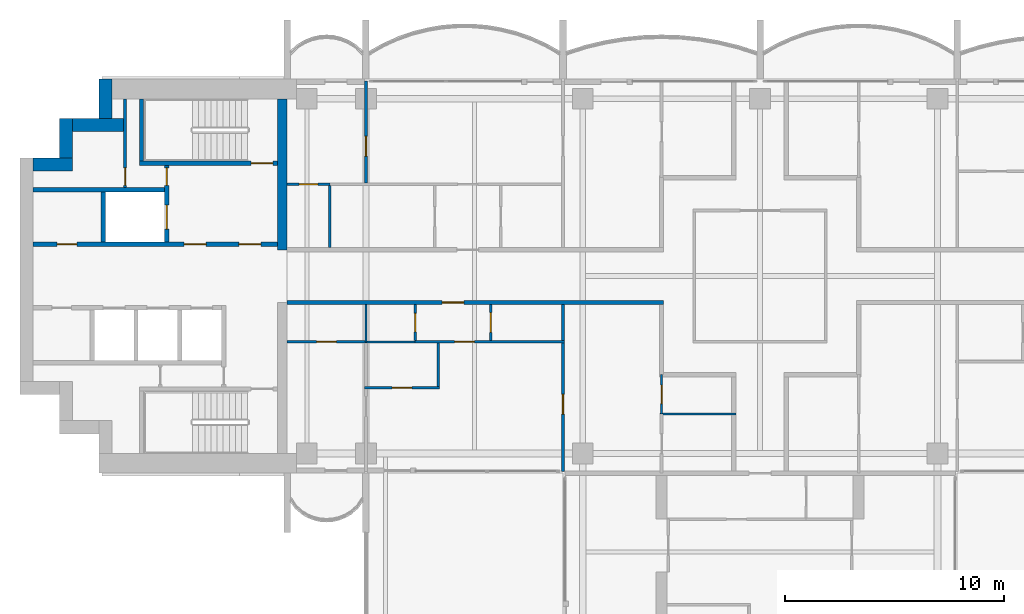
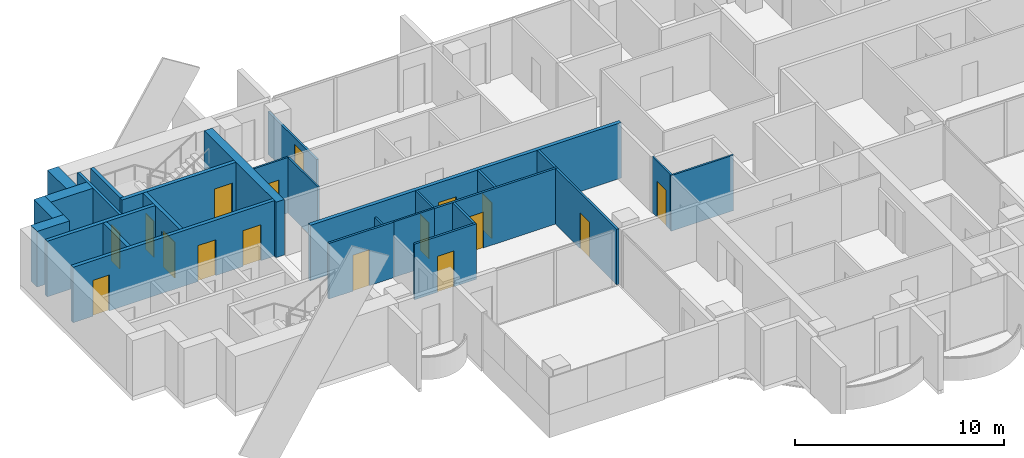
# One storey, part 9 of 17: 27 walls, 17 doors, 17 openings.
"""IFC4 building model written with IfcOpenShell, lengths in metres."""

from ifc_helpers import new_model, si_unit, direction, frame, frame_2d, origin, place, context, subcontext, project, spatial, rectangle, extrude, material, layer, layer_set, type_object, element, fill, save


model = new_model("IFC4")

# Units and contexts
model_context = context("Model", 3, precision=1e-05, world=origin(), true_north=direction((0.0, 1.0)))
body_context = subcontext(model_context, "Body", "Model", "MODEL_VIEW")
ifc_project = project(units=[si_unit("LENGTHUNIT", "METRE"), si_unit("AREAUNIT", "SQUARE_METRE"), si_unit("VOLUMEUNIT", "CUBIC_METRE"), si_unit("PLANEANGLEUNIT", "RADIAN"), si_unit("MASSUNIT", "GRAM", prefix="KILO")], contexts=[model_context])

# Site, building, storey
site_placement = place(None, origin())
site = spatial("IfcSite", under=ifc_project, at=site_placement, CompositionType="ELEMENT")
building_placement = place(site_placement, origin())
building = spatial("IfcBuilding", under=site, at=building_placement, Name="Perihelion Cross Residences", CompositionType="ELEMENT")
storey_placement = place(building_placement, frame((0.0, 0.0, 198.10009765625)))
storey = spatial("IfcBuildingStorey", under=building, at=storey_placement, Name="L49", CompositionType="ELEMENT", Elevation=198.10009765625)

# Wall, opening, door
ifc_material_1 = material(Name="Plasterboard partition")
ifc_layer_1 = layer(ifc_material_1, 0.199951171875)
ifc_layer_set_1 = layer_set([ifc_layer_1], Name="Apartment separation wall 200")
wall_type_1 = type_object("IfcWallType", Name="Apartment separation wall 200", PredefinedType="PARTITIONING", material=ifc_layer_set_1)
wall_1_placement = place(storey_placement, frame((-4.39990234375, -1.199951171875, 0.0), z_axis=(0.0, 0.0, 1.0), x_axis=(-1.0, 0.0, 0.0)))
wall_1 = element("IfcWall", 1, at=wall_1_placement, inside=storey, type_object=wall_type_1, Name="Partition L49 W017", PredefinedType="PARTITIONING", context=body_context, shape_type="SweptSolid", body=[
    extrude(rectangle(XDim=17.2001953125, YDim=0.199951171875, at=frame_2d((8.60009765625, 0.0))), origin(), (0.0, 0.0, 1.0), 3.25),
])
opening_1_placement = place(wall_1_placement, frame((9.125, 0.0, 0.0)))
opening_1 = element("IfcOpeningElement", 2, at=opening_1_placement, cuts=wall_1, Name="Opening L49.A41", PredefinedType="OPENING", context=body_context, shape_type="SweptSolid", body=[
    extrude(rectangle(XDim=1.0, YDim=2.10009765625, at=frame_2d((0.5, 1.050048828125))), frame((0.0, 0.10986328125, 0.0), z_axis=(0.0, -1.0, 0.0), x_axis=(1.0, 0.0, 0.0)), (0.0, 0.0, 1.0), 0.219970703125),
])
ifc_material_2 = material(Name="Timber door leaf", Category="wood")
door_type_1 = type_object("IfcDoorType", Name="Flat entrance door 1000 x 2100", OperationType="SINGLE_SWING_LEFT", PredefinedType="DOOR", material=ifc_material_2)
door_1_placement = place(opening_1_placement, origin())
door_1 = element("IfcDoor", 3, at=door_1_placement, inside=storey, type_object=door_type_1, Name="Door L49.A41", OperationType="SINGLE_SWING_RIGHT", OverallHeight=2.10009765625, OverallWidth=1.0, PredefinedType="DOOR", context=body_context, shape_type="SweptSolid", body=[
    extrude(rectangle(XDim=1.0, YDim=2.10009765625, at=frame_2d((0.5, 1.050048828125))), frame((0.0, 0.02490234375, 0.0), z_axis=(0.0, -1.0, 0.0), x_axis=(1.0, 0.0, 0.0)), (0.0, 0.0, 1.0), 0.050048828125),
])
fill(opening_1, door_1)

# Walls
ifc_material_3 = material(Name="Concrete C60/75", Category="concrete")
ifc_layer_2 = layer(ifc_material_3, 0.449951171875)
ifc_layer_set_2 = layer_set([ifc_layer_2], Name="Core wall, inner 450")
wall_type_2 = type_object("IfcWallType", Name="Core wall, inner 450", PredefinedType="SHEAR", material=ifc_layer_set_2)
wall_2_placement = place(storey_placement, frame((-21.824951171875, 1.199951171875, 0.0), z_axis=(0.0, 0.0, 1.0), x_axis=(0.0, 1.0, 0.0)))
element("IfcWall", 4, at=wall_2_placement, inside=storey, type_object=wall_type_2, Name="West core core wall, inner", PredefinedType="SHEAR", context=body_context, shape_type="SweptSolid", body=[
    extrude(rectangle(XDim=6.900146484375, YDim=0.449951171875, at=frame_2d((3.4501953125, 0.0))), origin(), (0.0, 0.0, 1.0), 3.25),
])
ifc_material_4 = material(Name="Concrete C60/75", Category="concrete")
ifc_layer_3 = layer(ifc_material_4, 0.60009765625)
ifc_layer_set_3 = layer_set([ifc_layer_3], Name="Core wall, outer 600")
wall_type_3 = type_object("IfcWallType", Name="Core wall, outer 600", PredefinedType="SHEAR", material=ifc_layer_set_3)
for number, where, z_axis, x_axis, name in (
    (5, (-33.199951171875, 5.10009765625, 0.0), (0.0, 0.0, 1.0), (1.0, 0.0, 0.0), "West core core wall, outer"),
    (6, (-31.699951171875, 5.39990234375, 0.0), (0.0, 0.0, 1.0), (0.0, 1.0, 0.0), "West core core wall, outer"),
):
    element("IfcWall", number, at=place(storey_placement, frame(where, z_axis=z_axis, x_axis=x_axis)), inside=storey, type_object=wall_type_3, Name=name, PredefinedType="SHEAR", context=body_context, shape_type="SweptSolid", body=[
        extrude(rectangle(XDim=1.800048828125, YDim=0.60009765625, at=frame_2d((0.89990234375, 0.0))), origin(), (0.0, 0.0, 1.0), 3.25),
    ])
wall_3_placement = place(storey_placement, frame((-31.39990234375, 6.89990234375, 0.0), z_axis=(0.0, 0.0, 1.0), x_axis=(1.0, 0.0, 0.0)))
element("IfcWall", 7, at=wall_3_placement, inside=storey, type_object=wall_type_3, Name="West core core wall, outer", PredefinedType="SHEAR", context=body_context, shape_type="SweptSolid", body=[
    extrude(rectangle(XDim=2.324951171875, YDim=0.60009765625, at=frame_2d((1.16259765625, 0.0))), origin(), (0.0, 0.0, 1.0), 3.25),
])
wall_4_placement = place(storey_placement, frame((-29.89990234375, 7.199951171875, 0.0), z_axis=(0.0, 0.0, 1.0), x_axis=(0.0, 1.0, 0.0)))
element("IfcWall", 8, at=wall_4_placement, inside=storey, type_object=wall_type_3, Name="West core core wall, outer", PredefinedType="SHEAR", context=body_context, shape_type="SweptSolid", body=[
    extrude(rectangle(XDim=1.800048828125, YDim=0.60009765625, at=frame_2d((0.89990234375, 0.0))), origin(), (0.0, 0.0, 1.0), 3.25),
])

# Wall, opening, door
ifc_material_5 = material(Name="Plasterboard partition")
ifc_layer_4 = layer(ifc_material_5, 0.1201171875)
ifc_layer_set_4 = layer_set([ifc_layer_4], Name="Partition wall 120")
wall_type_4 = type_object("IfcWallType", Name="Partition wall 120", PredefinedType="PARTITIONING", material=ifc_layer_set_4)
wall_5_placement = place(storey_placement, frame((-18.0, 4.260009765625, 0.0), z_axis=(0.0, 0.0, 1.0), x_axis=(0.0, 1.0, 0.0)))
wall_5 = element("IfcWall", 9, at=wall_5_placement, inside=storey, type_object=wall_type_4, Name="Partition L49 W044", PredefinedType="PARTITIONING", context=body_context, shape_type="SweptSolid", body=[
    extrude(rectangle(XDim=4.659912109375, YDim=0.1201171875, at=frame_2d((2.330078125, 0.0))), origin(), (0.0, 0.0, 1.0), 2.47998046875),
])
opening_2_placement = place(wall_5_placement, frame((1.219970703125, 0.0, 0.0)))
opening_2 = element("IfcOpeningElement", 10, at=opening_2_placement, cuts=wall_5, Name="Opening L49.A16", PredefinedType="OPENING", context=body_context, shape_type="SweptSolid", body=[
    extrude(rectangle(XDim=0.89990234375, YDim=2.10009765625, at=frame_2d((0.449951171875, 1.050048828125))), frame((0.0, 0.070068359375, 0.0), z_axis=(0.0, -1.0, 0.0), x_axis=(1.0, 0.0, 0.0)), (0.0, 0.0, 1.0), 0.14013671875),
])
ifc_material_6 = material(Name="Timber door leaf", Category="wood")
door_type_2 = type_object("IfcDoorType", Name="Interior room door 900 x 2100", OperationType="SINGLE_SWING_LEFT", PredefinedType="DOOR", material=ifc_material_6)
door_2_placement = place(opening_2_placement, origin())
door_2 = element("IfcDoor", 11, at=door_2_placement, inside=storey, type_object=door_type_2, Name="Door L49.A16", OperationType="SINGLE_SWING_LEFT", OverallHeight=2.10009765625, OverallWidth=0.89990234375, PredefinedType="DOOR", context=body_context, shape_type="SweptSolid", body=[
    extrude(rectangle(XDim=0.89990234375, YDim=2.10009765625, at=frame_2d((0.449951171875, 1.050048828125))), frame((0.0, 0.02490234375, 0.0), z_axis=(0.0, -1.0, 0.0), x_axis=(1.0, 0.0, 0.0)), (0.0, 0.0, 1.0), 0.050048828125),
])
fill(opening_2, door_2)

wall_6_placement = place(storey_placement, frame((-12.300048828125, -2.93994140625, 0.0), z_axis=(0.0, 0.0, 1.0), x_axis=(0.0, 1.0, 0.0)))
wall_6 = element("IfcWall", 12, at=wall_6_placement, inside=storey, type_object=wall_type_4, Name="Partition L49 W046", PredefinedType="PARTITIONING", context=body_context, shape_type="SweptSolid", body=[
    extrude(rectangle(XDim=1.639892578125, YDim=0.1201171875, at=frame_2d((0.81982421875, 0.0))), origin(), (0.0, 0.0, 1.0), 3.25),
])
opening_3_placement = place(wall_6_placement, frame((0.3701171875, 0.0, 0.0)))
opening_3 = element("IfcOpeningElement", 13, at=opening_3_placement, cuts=wall_6, Name="Opening L49.A25", PredefinedType="OPENING", context=body_context, shape_type="SweptSolid", body=[
    extrude(rectangle(XDim=0.89990234375, YDim=2.10009765625, at=frame_2d((0.449951171875, 1.050048828125))), frame((0.0, 0.070068359375, 0.0), z_axis=(0.0, -1.0, 0.0), x_axis=(1.0, 0.0, 0.0)), (0.0, 0.0, 1.0), 0.14013671875),
])
door_3_placement = place(opening_3_placement, origin())
door_3 = element("IfcDoor", 14, at=door_3_placement, inside=storey, type_object=door_type_2, Name="Door L49.A25", OperationType="SINGLE_SWING_LEFT", OverallHeight=2.10009765625, OverallWidth=0.89990234375, PredefinedType="DOOR", context=body_context, shape_type="SweptSolid", body=[
    extrude(rectangle(XDim=0.89990234375, YDim=2.10009765625, at=frame_2d((0.449951171875, 1.050048828125))), frame((0.0, 0.02490234375, 0.0), z_axis=(0.0, -1.0, 0.0), x_axis=(1.0, 0.0, 0.0)), (0.0, 0.0, 1.0), 0.050048828125),
])
fill(opening_3, door_3)

wall_7_placement = place(storey_placement, frame((-8.93994140625, -3.0, 0.0), z_axis=(0.0, 0.0, 1.0), x_axis=(-1.0, 0.0, 0.0)))
wall_7 = element("IfcWall", 15, at=wall_7_placement, inside=storey, type_object=wall_type_4, Name="Partition L49 W047", PredefinedType="PARTITIONING", context=body_context, shape_type="SweptSolid", body=[
    extrude(rectangle(XDim=6.81005859375, YDim=0.1201171875, at=frame_2d((3.405029296875, 0.0))), origin(), (0.0, 0.0, 1.0), 3.25),
])
opening_4_placement = place(wall_7_placement, frame((4.110107421875, 0.0, 0.0)))
opening_4 = element("IfcOpeningElement", 16, at=opening_4_placement, cuts=wall_7, Name="Opening L49.A26", PredefinedType="OPENING", context=body_context, shape_type="SweptSolid", body=[
    extrude(rectangle(XDim=0.89990234375, YDim=2.10009765625, at=frame_2d((0.449951171875, 1.050048828125))), frame((0.0, 0.070068359375, 0.0), z_axis=(0.0, -1.0, 0.0), x_axis=(1.0, 0.0, 0.0)), (0.0, 0.0, 1.0), 0.14013671875),
])
door_4_placement = place(opening_4_placement, origin())
door_4 = element("IfcDoor", 17, at=door_4_placement, inside=storey, type_object=door_type_2, Name="Door L49.A26", OperationType="SINGLE_SWING_LEFT", OverallHeight=2.10009765625, OverallWidth=0.89990234375, PredefinedType="DOOR", context=body_context, shape_type="SweptSolid", body=[
    extrude(rectangle(XDim=0.89990234375, YDim=2.10009765625, at=frame_2d((0.449951171875, 1.050048828125))), frame((0.0, 0.02490234375, 0.0), z_axis=(0.0, -1.0, 0.0), x_axis=(1.0, 0.0, 0.0)), (0.0, 0.0, 1.0), 0.050048828125),
])
fill(opening_4, door_4)

wall_8_placement = place(storey_placement, frame((-9.0, -1.300048828125, 0.0), z_axis=(0.0, 0.0, 1.0), x_axis=(0.0, -1.0, 0.0)))
wall_8 = element("IfcWall", 18, at=wall_8_placement, inside=storey, type_object=wall_type_4, Name="Partition L49 W048", PredefinedType="PARTITIONING", context=body_context, shape_type="SweptSolid", body=[
    extrude(rectangle(XDim=7.619873046875, YDim=0.1201171875, at=frame_2d((3.81005859375, 0.0))), origin(), (0.0, 0.0, 1.0), 3.25),
])
opening_5_placement = place(wall_8_placement, frame((4.10009765625, 0.0, 0.0)))
opening_5 = element("IfcOpeningElement", 19, at=opening_5_placement, cuts=wall_8, Name="Opening L49.A27", PredefinedType="OPENING", context=body_context, shape_type="SweptSolid", body=[
    extrude(rectangle(XDim=0.89990234375, YDim=2.10009765625, at=frame_2d((0.449951171875, 1.050048828125))), frame((0.0, 0.070068359375, 0.0), z_axis=(0.0, -1.0, 0.0), x_axis=(1.0, 0.0, 0.0)), (0.0, 0.0, 1.0), 0.14013671875),
])
door_5_placement = place(opening_5_placement, origin())
door_5 = element("IfcDoor", 20, at=door_5_placement, inside=storey, type_object=door_type_2, Name="Door L49.A27", OperationType="SINGLE_SWING_LEFT", OverallHeight=2.10009765625, OverallWidth=0.89990234375, PredefinedType="DOOR", context=body_context, shape_type="SweptSolid", body=[
    extrude(rectangle(XDim=0.89990234375, YDim=2.10009765625, at=frame_2d((0.449951171875, 1.050048828125))), frame((0.0, 0.02490234375, 0.0), z_axis=(0.0, -1.0, 0.0), x_axis=(1.0, 0.0, 0.0)), (0.0, 0.0, 1.0), 0.050048828125),
])
fill(opening_5, door_5)

wall_9_placement = place(storey_placement, frame((-18.0, -3.0, 0.0), z_axis=(0.0, 0.0, 1.0), x_axis=(-1.0, 0.0, 0.0)))
wall_9 = element("IfcWall", 21, at=wall_9_placement, inside=storey, type_object=wall_type_4, Name="Partition L49 W052", PredefinedType="PARTITIONING", context=body_context, shape_type="SweptSolid", body=[
    extrude(rectangle(XDim=3.60009765625, YDim=0.1201171875, at=frame_2d((1.800048828125, 0.0))), origin(), (0.0, 0.0, 1.0), 3.25),
])
opening_6_placement = place(wall_9_placement, frame((1.35009765625, 0.0, 0.0)))
opening_6 = element("IfcOpeningElement", 22, at=opening_6_placement, cuts=wall_9, Name="Opening L49.A29", PredefinedType="OPENING", context=body_context, shape_type="SweptSolid", body=[
    extrude(rectangle(XDim=0.89990234375, YDim=2.10009765625, at=frame_2d((0.449951171875, 1.050048828125))), frame((0.0, 0.070068359375, 0.0), z_axis=(0.0, -1.0, 0.0), x_axis=(1.0, 0.0, 0.0)), (0.0, 0.0, 1.0), 0.14013671875),
])
door_6_placement = place(opening_6_placement, origin())
door_6 = element("IfcDoor", 23, at=door_6_placement, inside=storey, type_object=door_type_2, Name="Door L49.A29", OperationType="SINGLE_SWING_LEFT", OverallHeight=2.10009765625, OverallWidth=0.89990234375, PredefinedType="DOOR", context=body_context, shape_type="SweptSolid", body=[
    extrude(rectangle(XDim=0.89990234375, YDim=2.10009765625, at=frame_2d((0.449951171875, 1.050048828125))), frame((0.0, 0.02490234375, 0.0), z_axis=(0.0, -1.0, 0.0), x_axis=(1.0, 0.0, 0.0)), (0.0, 0.0, 1.0), 0.050048828125),
])
fill(opening_6, door_6)

wall_10_placement = place(storey_placement, frame((-18.06005859375, -5.10009765625, 0.0), z_axis=(0.0, 0.0, 1.0), x_axis=(1.0, 0.0, 0.0)))
wall_10 = element("IfcWall", 24, at=wall_10_placement, inside=storey, type_object=wall_type_4, Name="Partition L49 W053", PredefinedType="PARTITIONING", context=body_context, shape_type="SweptSolid", body=[
    extrude(rectangle(XDim=3.420166015625, YDim=0.1201171875, at=frame_2d((1.7099609375, 0.0))), origin(), (0.0, 0.0, 1.0), 3.25),
])
opening_7_placement = place(wall_10_placement, frame((1.260009765625, 0.0, 0.0)))
opening_7 = element("IfcOpeningElement", 25, at=opening_7_placement, cuts=wall_10, Name="Opening L49.A24", PredefinedType="OPENING", context=body_context, shape_type="SweptSolid", body=[
    extrude(rectangle(XDim=0.89990234375, YDim=2.10009765625, at=frame_2d((0.449951171875, 1.050048828125))), frame((0.0, 0.070068359375, 0.0), z_axis=(0.0, -1.0, 0.0), x_axis=(1.0, 0.0, 0.0)), (0.0, 0.0, 1.0), 0.14013671875),
])
door_7_placement = place(opening_7_placement, origin())
door_7 = element("IfcDoor", 26, at=door_7_placement, inside=storey, type_object=door_type_2, Name="Door L49.A24", OperationType="SINGLE_SWING_RIGHT", OverallHeight=2.10009765625, OverallWidth=0.89990234375, PredefinedType="DOOR", context=body_context, shape_type="SweptSolid", body=[
    extrude(rectangle(XDim=0.89990234375, YDim=2.10009765625, at=frame_2d((0.449951171875, 1.050048828125))), frame((0.0, 0.02490234375, 0.0), z_axis=(0.0, -1.0, 0.0), x_axis=(1.0, 0.0, 0.0)), (0.0, 0.0, 1.0), 0.050048828125),
])
fill(opening_7, door_7)

# Wall
wall_11_placement = place(storey_placement, frame((-14.699951171875, -5.0400390625, 0.0), z_axis=(0.0, 0.0, 1.0), x_axis=(0.0, 1.0, 0.0)))
element("IfcWall", 27, at=wall_11_placement, inside=storey, type_object=wall_type_4, Name="Partition L49 W054", PredefinedType="PARTITIONING", context=body_context, shape_type="SweptSolid", body=[
    extrude(rectangle(XDim=1.97998046875, YDim=0.1201171875, at=frame_2d((0.989990234375, 0.0))), origin(), (0.0, 0.0, 1.0), 3.25),
])

# Wall, opening, door
ifc_material_7 = material(Name="Fire-rated board on steel stud", Category="steel")
ifc_layer_5 = layer(ifc_material_7, 0.14990234375)
ifc_layer_set_5 = layer_set([ifc_layer_5], Name="Riser wall 150")
wall_type_5 = type_object("IfcWallType", Name="Riser wall 150", PredefinedType="PARTITIONING", material=ifc_layer_set_5)
wall_12_placement = place(storey_placement, frame((-29.0, 4.050048828125, 0.0), z_axis=(0.0, 0.0, 1.0), x_axis=(0.0, 1.0, 0.0)))
wall_12 = element("IfcWall", 28, at=wall_12_placement, inside=storey, type_object=wall_type_5, Name="West core riser wall", PredefinedType="PARTITIONING", context=body_context, shape_type="SweptSolid", body=[
    extrude(rectangle(XDim=4.050048828125, YDim=0.14990234375, at=frame_2d((2.02490234375, 0.0))), origin(), (0.0, 0.0, 1.0), 3.25),
])
opening_8_placement = place(wall_12_placement, frame((0.10009765625, 0.0, 0.0)))
opening_8 = element("IfcOpeningElement", 29, at=opening_8_placement, cuts=wall_12, Name="Opening L49.C26", PredefinedType="OPENING", context=body_context, shape_type="SweptSolid", body=[
    extrude(rectangle(XDim=0.800048828125, YDim=2.10009765625, at=frame_2d((0.39990234375, 1.050048828125))), frame((0.0, 0.0849609375, 0.0), z_axis=(0.0, -1.0, 0.0), x_axis=(1.0, 0.0, 0.0)), (0.0, 0.0, 1.0), 0.169921875),
])
ifc_material_8 = material(Name="Steel, powder coated", Category="steel")
door_type_3 = type_object("IfcDoorType", Name="Riser door 800", OperationType="SINGLE_SWING_LEFT", PredefinedType="DOOR", material=ifc_material_8)
door_8_placement = place(opening_8_placement, origin())
door_8 = element("IfcDoor", 30, at=door_8_placement, inside=storey, type_object=door_type_3, Name="West core riser door", OperationType="SINGLE_SWING_LEFT", OverallHeight=2.10009765625, OverallWidth=0.800048828125, PredefinedType="DOOR", context=body_context, shape_type="SweptSolid", body=[
    extrude(rectangle(XDim=0.800048828125, YDim=2.10009765625, at=frame_2d((0.39990234375, 1.050048828125))), frame((0.0, 0.02490234375, 0.0), z_axis=(0.0, -1.0, 0.0), x_axis=(1.0, 0.0, 0.0)), (0.0, 0.0, 1.0), 0.050048828125),
])
fill(opening_8, door_8)

# Wall, openings, doors
ifc_material_9 = material(Name="Concrete C50/60", Category="concrete")
ifc_layer_6 = layer(ifc_material_9, 0.199951171875)
ifc_layer_set_6 = layer_set([ifc_layer_6], Name="Shaft wall 200")
wall_type_6 = type_object("IfcWallType", Name="Shaft wall 200", PredefinedType="SOLIDWALL", material=ifc_layer_set_6)
wall_13_placement = place(storey_placement, frame((-33.199951171875, 1.449951171875, 0.0), z_axis=(0.0, 0.0, 1.0), x_axis=(1.0, 0.0, 0.0)))
wall_13 = element("IfcWall", 31, at=wall_13_placement, inside=storey, type_object=wall_type_6, Name="West core shaft wall", PredefinedType="SOLIDWALL", context=body_context, shape_type="SweptSolid", body=[
    extrude(rectangle(XDim=11.14990234375, YDim=0.199951171875, at=frame_2d((5.574951171875, 0.0))), origin(), (0.0, 0.0, 1.0), 3.25),
])
opening_9_placement = place(wall_13_placement, frame((9.39990234375, 0.0, 0.0)))
opening_9 = element("IfcOpeningElement", 32, at=opening_9_placement, cuts=wall_13, Name="Opening L49.C21", PredefinedType="OPENING", context=body_context, shape_type="SweptSolid", body=[
    extrude(rectangle(XDim=1.0, YDim=2.10009765625, at=frame_2d((0.5, 1.050048828125))), frame((0.0, 0.10986328125, 0.0), z_axis=(0.0, -1.0, 0.0), x_axis=(1.0, 0.0, 0.0)), (0.0, 0.0, 1.0), 0.219970703125),
])
opening_10_placement = place(wall_13_placement, frame((6.89990234375, 0.0, 0.0)))
opening_10 = element("IfcOpeningElement", 33, at=opening_10_placement, cuts=wall_13, Name="Opening L49.C23", PredefinedType="OPENING", context=body_context, shape_type="SweptSolid", body=[
    extrude(rectangle(XDim=1.0, YDim=2.10009765625, at=frame_2d((0.5, 1.050048828125))), frame((0.0, 0.10986328125, 0.0), z_axis=(0.0, -1.0, 0.0), x_axis=(1.0, 0.0, 0.0)), (0.0, 0.0, 1.0), 0.219970703125),
])
opening_11_placement = place(wall_13_placement, frame((1.10009765625, 0.0, 0.0)))
opening_11 = element("IfcOpeningElement", 34, at=opening_11_placement, cuts=wall_13, Name="Opening L49.C27", PredefinedType="OPENING", context=body_context, shape_type="SweptSolid", body=[
    extrude(rectangle(XDim=0.89990234375, YDim=2.10009765625, at=frame_2d((0.449951171875, 1.050048828125))), frame((0.0, 0.10986328125, 0.0), z_axis=(0.0, -1.0, 0.0), x_axis=(1.0, 0.0, 0.0)), (0.0, 0.0, 1.0), 0.219970703125),
])
ifc_material_10 = material(Name="Steel, powder coated", Category="steel")
door_type_4 = type_object("IfcDoorType", Name="Lobby door 1000", OperationType="SINGLE_SWING_LEFT", PredefinedType="DOOR", material=ifc_material_10)
door_9_placement = place(opening_9_placement, origin())
door_9 = element("IfcDoor", 35, at=door_9_placement, inside=storey, type_object=door_type_4, Name="West core firefighting lobby door", OperationType="SINGLE_SWING_LEFT", OverallHeight=2.10009765625, OverallWidth=1.0, PredefinedType="DOOR", context=body_context, shape_type="SweptSolid", body=[
    extrude(rectangle(XDim=1.0, YDim=2.10009765625, at=frame_2d((0.5, 1.050048828125))), frame((0.0, 0.02490234375, 0.0), z_axis=(0.0, -1.0, 0.0), x_axis=(1.0, 0.0, 0.0)), (0.0, 0.0, 1.0), 0.050048828125),
])
fill(opening_9, door_9)
door_10_placement = place(opening_10_placement, origin())
door_10 = element("IfcDoor", 36, at=door_10_placement, inside=storey, type_object=door_type_4, Name="West core firefighting lobby door", OperationType="SINGLE_SWING_LEFT", OverallHeight=2.10009765625, OverallWidth=1.0, PredefinedType="DOOR", context=body_context, shape_type="SweptSolid", body=[
    extrude(rectangle(XDim=1.0, YDim=2.10009765625, at=frame_2d((0.5, 1.050048828125))), frame((0.0, 0.02490234375, 0.0), z_axis=(0.0, -1.0, 0.0), x_axis=(1.0, 0.0, 0.0)), (0.0, 0.0, 1.0), 0.050048828125),
])
fill(opening_10, door_10)
ifc_material_11 = material(Name="Steel, powder coated", Category="steel")
door_type_5 = type_object("IfcDoorType", Name="Service room door 900", OperationType="SINGLE_SWING_LEFT", PredefinedType="DOOR", material=ifc_material_11)
door_11_placement = place(opening_11_placement, origin())
door_11 = element("IfcDoor", 37, at=door_11_placement, inside=storey, type_object=door_type_5, Name="West core service room door", OperationType="SINGLE_SWING_LEFT", OverallHeight=2.10009765625, OverallWidth=0.89990234375, PredefinedType="DOOR", context=body_context, shape_type="SweptSolid", body=[
    extrude(rectangle(XDim=0.89990234375, YDim=2.10009765625, at=frame_2d((0.449951171875, 1.050048828125))), frame((0.0, 0.02490234375, 0.0), z_axis=(0.0, -1.0, 0.0), x_axis=(1.0, 0.0, 0.0)), (0.0, 0.0, 1.0), 0.050048828125),
])
fill(opening_11, door_11)

# Wall
wall_14_placement = place(storey_placement, frame((-33.199951171875, 3.949951171875, 0.0), z_axis=(0.0, 0.0, 1.0), x_axis=(1.0, 0.0, 0.0)))
element("IfcWall", 38, at=wall_14_placement, inside=storey, type_object=wall_type_6, Name="West core shaft wall", PredefinedType="SOLIDWALL", context=body_context, shape_type="SweptSolid", body=[
    extrude(rectangle(XDim=6.0, YDim=0.199951171875, at=frame_2d((3.0, 0.0))), origin(), (0.0, 0.0, 1.0), 3.25),
])

# Wall, openings, doors
wall_15_placement = place(storey_placement, frame((-27.10009765625, 1.550048828125, 0.0), z_axis=(0.0, 0.0, 1.0), x_axis=(0.0, 1.0, 0.0)))
wall_15 = element("IfcWall", 39, at=wall_15_placement, inside=storey, type_object=wall_type_6, Name="West core shaft wall", PredefinedType="SOLIDWALL", context=body_context, shape_type="SweptSolid", body=[
    extrude(rectangle(XDim=3.5, YDim=0.199951171875, at=frame_2d((1.75, 0.0))), origin(), (0.0, 0.0, 1.0), 3.25),
])
opening_12_placement = place(wall_15_placement, frame((0.60009765625, 0.0, 0.0)))
opening_12 = element("IfcOpeningElement", 40, at=opening_12_placement, cuts=wall_15, Name="Opening L49.C16", PredefinedType="OPENING", context=body_context, shape_type="SweptSolid", body=[
    extrude(rectangle(XDim=1.10009765625, YDim=2.10009765625, at=frame_2d((0.550048828125, 1.050048828125))), frame((0.0, 0.10986328125, 0.0), z_axis=(0.0, -1.0, 0.0), x_axis=(1.0, 0.0, 0.0)), (0.0, 0.0, 1.0), 0.219970703125),
])
opening_13_placement = place(wall_15_placement, frame((2.60009765625, 0.0, 0.0)))
opening_13 = element("IfcOpeningElement", 41, at=opening_13_placement, cuts=wall_15, Name="Opening L49.C24", PredefinedType="OPENING", context=body_context, shape_type="SweptSolid", body=[
    extrude(rectangle(XDim=0.800048828125, YDim=2.10009765625, at=frame_2d((0.39990234375, 1.050048828125))), frame((0.0, 0.10986328125, 0.0), z_axis=(0.0, -1.0, 0.0), x_axis=(1.0, 0.0, 0.0)), (0.0, 0.0, 1.0), 0.219970703125),
])
ifc_material_12 = material(Name="Stainless steel", Category="steel")
door_type_6 = type_object("IfcDoorType", Name="Landing door, firefighting lift 1100", OperationType="DOUBLE_DOOR_SLIDING", PredefinedType="DOOR", material=ifc_material_12)
door_12_placement = place(opening_12_placement, origin())
door_12 = element("IfcDoor", 42, at=door_12_placement, inside=storey, type_object=door_type_6, Name="Landing door, West core firefighting and service lift", OperationType="DOUBLE_DOOR_SLIDING", OverallHeight=2.10009765625, OverallWidth=1.10009765625, PredefinedType="DOOR", context=body_context, shape_type="SweptSolid", body=[
    extrude(rectangle(XDim=1.10009765625, YDim=2.10009765625, at=frame_2d((0.550048828125, 1.050048828125))), frame((0.0, 0.02490234375, 0.0), z_axis=(0.0, -1.0, 0.0), x_axis=(1.0, 0.0, 0.0)), (0.0, 0.0, 1.0), 0.050048828125),
])
fill(opening_12, door_12)
door_13_placement = place(opening_13_placement, origin())
door_13 = element("IfcDoor", 43, at=door_13_placement, inside=storey, type_object=door_type_3, Name="West core riser door", OperationType="SINGLE_SWING_LEFT", OverallHeight=2.10009765625, OverallWidth=0.800048828125, PredefinedType="DOOR", context=body_context, shape_type="SweptSolid", body=[
    extrude(rectangle(XDim=0.800048828125, YDim=2.10009765625, at=frame_2d((0.39990234375, 1.050048828125))), frame((0.0, 0.02490234375, 0.0), z_axis=(0.0, -1.0, 0.0), x_axis=(1.0, 0.0, 0.0)), (0.0, 0.0, 1.0), 0.050048828125),
])
fill(opening_13, door_13)

# Wall
wall_16_placement = place(storey_placement, frame((-30.0, 1.550048828125, 0.0), z_axis=(0.0, 0.0, 1.0), x_axis=(0.0, 1.0, 0.0)))
element("IfcWall", 44, at=wall_16_placement, inside=storey, type_object=wall_type_6, Name="West core shaft wall", PredefinedType="SOLIDWALL", context=body_context, shape_type="SweptSolid", body=[
    extrude(rectangle(XDim=2.300048828125, YDim=0.199951171875, at=frame_2d((1.14990234375, 0.0))), origin(), (0.0, 0.0, 1.0), 3.25),
])

# Wall, opening, door
ifc_material_13 = material(Name="Concrete C50/60", Category="concrete")
ifc_layer_7 = layer(ifc_material_13, 0.199951171875)
ifc_layer_set_7 = layer_set([ifc_layer_7], Name="Stair wall 200")
wall_type_7 = type_object("IfcWallType", Name="Stair wall 200", PredefinedType="SOLIDWALL", material=ifc_layer_set_7)
wall_17_placement = place(storey_placement, frame((-28.35009765625, 5.14990234375, 0.0), z_axis=(0.0, 0.0, 1.0), x_axis=(1.0, 0.0, 0.0)))
wall_17 = element("IfcWall", 45, at=wall_17_placement, inside=storey, type_object=wall_type_7, Name="West core stair wall", PredefinedType="SOLIDWALL", context=body_context, shape_type="SweptSolid", body=[
    extrude(rectangle(XDim=6.300048828125, YDim=0.199951171875, at=frame_2d((3.14990234375, 0.0))), origin(), (0.0, 0.0, 1.0), 3.25),
])
opening_14_placement = place(wall_17_placement, frame((5.10009765625, 0.0, 0.0)))
opening_14 = element("IfcOpeningElement", 46, at=opening_14_placement, cuts=wall_17, Name="Opening L49.C20", PredefinedType="OPENING", context=body_context, shape_type="SweptSolid", body=[
    extrude(rectangle(XDim=1.0, YDim=2.10009765625, at=frame_2d((0.5, 1.050048828125))), frame((0.0, 0.10986328125, 0.0), z_axis=(0.0, -1.0, 0.0), x_axis=(1.0, 0.0, 0.0)), (0.0, 0.0, 1.0), 0.219970703125),
])
ifc_material_14 = material(Name="Steel, powder coated", Category="steel")
door_type_7 = type_object("IfcDoorType", Name="Stair door 1000", OperationType="SINGLE_SWING_LEFT", PredefinedType="DOOR", material=ifc_material_14)
door_14_placement = place(opening_14_placement, origin())
door_14 = element("IfcDoor", 47, at=door_14_placement, inside=storey, type_object=door_type_7, Name="West core stair door", OperationType="SINGLE_SWING_LEFT", OverallHeight=2.10009765625, OverallWidth=1.0, PredefinedType="DOOR", context=body_context, shape_type="SweptSolid", body=[
    extrude(rectangle(XDim=1.0, YDim=2.10009765625, at=frame_2d((0.5, 1.050048828125))), frame((0.0, 0.02490234375, 0.0), z_axis=(0.0, -1.0, 0.0), x_axis=(1.0, 0.0, 0.0)), (0.0, 0.0, 1.0), 0.050048828125),
])
fill(opening_14, door_14)

# Walls
wall_18_placement = place(storey_placement, frame((-28.25, 5.25, 0.0), z_axis=(0.0, 0.0, 1.0), x_axis=(0.0, 1.0, 0.0)))
element("IfcWall", 48, at=wall_18_placement, inside=storey, type_object=wall_type_7, Name="West core stair wall", PredefinedType="SOLIDWALL", context=body_context, shape_type="SweptSolid", body=[
    extrude(rectangle(XDim=2.85009765625, YDim=0.199951171875, at=frame_2d((1.425048828125, 0.0))), origin(), (0.0, 0.0, 1.0), 3.25),
])
ifc_material_15 = material(Name="Plasterboard partition")
ifc_layer_8 = layer(ifc_material_15, 0.10009765625)
ifc_layer_set_8 = layer_set([ifc_layer_8], Name="Wet room wall 100")
wall_type_8 = type_object("IfcWallType", Name="Wet room wall 100", PredefinedType="PARTITIONING", material=ifc_layer_set_8)
wall_19_placement = place(storey_placement, frame((-19.64990234375, 1.300048828125, 0.0), z_axis=(0.0, 0.0, 1.0), x_axis=(0.0, 1.0, 0.0)))
element("IfcWall", 49, at=wall_19_placement, inside=storey, type_object=wall_type_8, Name="Partition L49 W042", PredefinedType="PARTITIONING", context=body_context, shape_type="SweptSolid", body=[
    extrude(rectangle(XDim=2.83984375, YDim=0.10009765625, at=frame_2d((1.419921875, 0.0))), origin(), (0.0, 0.0, 1.0), 3.25),
])

# Wall, opening, door
wall_20_placement = place(storey_placement, frame((-21.60009765625, 4.199951171875, 0.0), z_axis=(0.0, 0.0, 1.0), x_axis=(1.0, 0.0, 0.0)))
wall_20 = element("IfcWall", 50, at=wall_20_placement, inside=storey, type_object=wall_type_8, Name="Partition L49 W043", PredefinedType="PARTITIONING", context=body_context, shape_type="SweptSolid", body=[
    extrude(rectangle(XDim=1.9501953125, YDim=0.10009765625, at=frame_2d((0.97509765625, 0.0))), origin(), (0.0, 0.0, 1.0), 3.25),
])
opening_15_placement = place(wall_20_placement, frame((0.550048828125, 0.0, 0.0)))
opening_15 = element("IfcOpeningElement", 51, at=opening_15_placement, cuts=wall_20, Name="Opening L49.A20", PredefinedType="OPENING", context=body_context, shape_type="SweptSolid", body=[
    extrude(rectangle(XDim=0.85009765625, YDim=2.10009765625, at=frame_2d((0.425048828125, 1.050048828125))), frame((0.0, 0.06005859375, 0.0), z_axis=(0.0, -1.0, 0.0), x_axis=(1.0, 0.0, 0.0)), (0.0, 0.0, 1.0), 0.1201171875),
])
ifc_material_16 = material(Name="Timber door leaf", Category="wood")
door_type_8 = type_object("IfcDoorType", Name="Interior bathroom door 850 x 2100", OperationType="SINGLE_SWING_LEFT", PredefinedType="DOOR", material=ifc_material_16)
door_15_placement = place(opening_15_placement, origin())
door_15 = element("IfcDoor", 52, at=door_15_placement, inside=storey, type_object=door_type_8, Name="Door L49.A20", OperationType="SINGLE_SWING_RIGHT", OverallHeight=2.10009765625, OverallWidth=0.85009765625, PredefinedType="DOOR", context=body_context, shape_type="SweptSolid", body=[
    extrude(rectangle(XDim=0.85009765625, YDim=2.10009765625, at=frame_2d((0.425048828125, 1.050048828125))), frame((0.0, 0.02490234375, 0.0), z_axis=(0.0, -1.0, 0.0), x_axis=(1.0, 0.0, 0.0)), (0.0, 0.0, 1.0), 0.050048828125),
])
fill(opening_15, door_15)

wall_21_placement = place(storey_placement, frame((-15.75, -2.93994140625, 0.0), z_axis=(0.0, 0.0, 1.0), x_axis=(0.0, 1.0, 0.0)))
wall_21 = element("IfcWall", 53, at=wall_21_placement, inside=storey, type_object=wall_type_8, Name="Partition L49 W049", PredefinedType="PARTITIONING", context=body_context, shape_type="SweptSolid", body=[
    extrude(rectangle(XDim=1.639892578125, YDim=0.10009765625, at=frame_2d((0.81982421875, 0.0))), origin(), (0.0, 0.0, 1.0), 3.25),
])
opening_16_placement = place(wall_21_placement, frame((0.39501953125, 0.0, 0.0)))
opening_16 = element("IfcOpeningElement", 54, at=opening_16_placement, cuts=wall_21, Name="Opening L49.A31", PredefinedType="OPENING", context=body_context, shape_type="SweptSolid", body=[
    extrude(rectangle(XDim=0.85009765625, YDim=2.10009765625, at=frame_2d((0.425048828125, 1.050048828125))), frame((0.0, 0.06005859375, 0.0), z_axis=(0.0, -1.0, 0.0), x_axis=(1.0, 0.0, 0.0)), (0.0, 0.0, 1.0), 0.1201171875),
])
door_16_placement = place(opening_16_placement, origin())
door_16 = element("IfcDoor", 55, at=door_16_placement, inside=storey, type_object=door_type_8, Name="Door L49.A31", OperationType="SINGLE_SWING_RIGHT", OverallHeight=2.10009765625, OverallWidth=0.85009765625, PredefinedType="DOOR", context=body_context, shape_type="SweptSolid", body=[
    extrude(rectangle(XDim=0.85009765625, YDim=2.10009765625, at=frame_2d((0.425048828125, 1.050048828125))), frame((0.0, 0.02490234375, 0.0), z_axis=(0.0, -1.0, 0.0), x_axis=(1.0, 0.0, 0.0)), (0.0, 0.0, 1.0), 0.050048828125),
])
fill(opening_16, door_16)

# Walls
wall_22_placement = place(storey_placement, frame((-18.0, -3.0, 0.0), z_axis=(0.0, 0.0, 1.0), x_axis=(0.0, 1.0, 0.0)))
element("IfcWall", 56, at=wall_22_placement, inside=storey, type_object=wall_type_8, Name="Partition L49 W050", PredefinedType="PARTITIONING", context=body_context, shape_type="SweptSolid", body=[
    extrude(rectangle(XDim=1.699951171875, YDim=0.10009765625, at=frame_2d((0.85009765625, 0.0))), origin(), (0.0, 0.0, 1.0), 2.47998046875),
])
wall_23_placement = place(storey_placement, frame((-15.75, -3.0, 0.0), z_axis=(0.0, 0.0, 1.0), x_axis=(-1.0, 0.0, 0.0)))
element("IfcWall", 57, at=wall_23_placement, inside=storey, type_object=wall_type_8, Name="Partition L49 W051", PredefinedType="PARTITIONING", context=body_context, shape_type="SweptSolid", body=[
    extrude(rectangle(XDim=2.25, YDim=0.10009765625, at=frame_2d((1.125, 0.0))), origin(), (0.0, 0.0, 1.0), 3.25),
])

# Wall, opening, door
wall_24_placement = place(storey_placement, frame((-4.5, -4.5, 0.0), z_axis=(0.0, 0.0, 1.0), x_axis=(0.0, -1.0, 0.0)))
wall_24 = element("IfcWall", 58, at=wall_24_placement, inside=storey, type_object=wall_type_8, Name="Partition L49 W056", PredefinedType="PARTITIONING", context=body_context, shape_type="SweptSolid", body=[
    extrude(rectangle(XDim=1.800048828125, YDim=0.10009765625, at=frame_2d((0.89990234375, 0.0))), origin(), (0.0, 0.0, 1.0), 3.25),
])
opening_17_placement = place(wall_24_placement, frame((0.47509765625, 0.0, 0.0)))
opening_17 = element("IfcOpeningElement", 59, at=opening_17_placement, cuts=wall_24, Name="Opening L49.A30", PredefinedType="OPENING", context=body_context, shape_type="SweptSolid", body=[
    extrude(rectangle(XDim=0.85009765625, YDim=2.10009765625, at=frame_2d((0.425048828125, 1.050048828125))), frame((0.0, 0.06005859375, 0.0), z_axis=(0.0, -1.0, 0.0), x_axis=(1.0, 0.0, 0.0)), (0.0, 0.0, 1.0), 0.1201171875),
])
door_17_placement = place(opening_17_placement, origin())
door_17 = element("IfcDoor", 60, at=door_17_placement, inside=storey, type_object=door_type_8, Name="Door L49.A30", OperationType="SINGLE_SWING_RIGHT", OverallHeight=2.10009765625, OverallWidth=0.85009765625, PredefinedType="DOOR", context=body_context, shape_type="SweptSolid", body=[
    extrude(rectangle(XDim=0.85009765625, YDim=2.10009765625, at=frame_2d((0.425048828125, 1.050048828125))), frame((0.0, 0.02490234375, 0.0), z_axis=(0.0, -1.0, 0.0), x_axis=(1.0, 0.0, 0.0)), (0.0, 0.0, 1.0), 0.050048828125),
])
fill(opening_17, door_17)

# Wall
wall_25_placement = place(storey_placement, frame((-1.10009765625, -6.300048828125, 0.0), z_axis=(0.0, 0.0, 1.0), x_axis=(-1.0, 0.0, 0.0)))
element("IfcWall", 61, at=wall_25_placement, inside=storey, type_object=wall_type_8, Name="Partition L49 W058", PredefinedType="PARTITIONING", context=body_context, shape_type="SweptSolid", body=[
    extrude(rectangle(XDim=3.4599609375, YDim=0.10009765625, at=frame_2d((1.72998046875, 0.0))), origin(), (0.0, 0.0, 1.0), 3.25),
])

save(model, "model.ifc")
